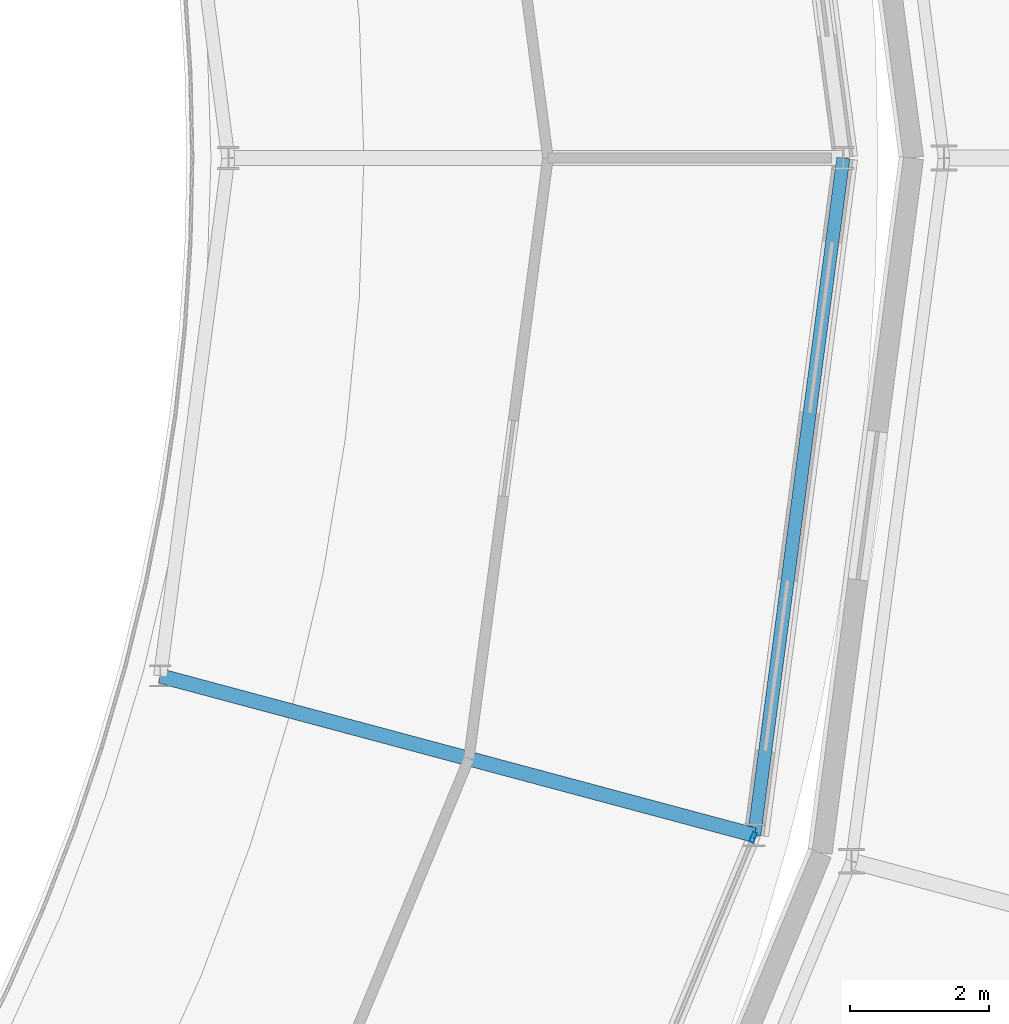
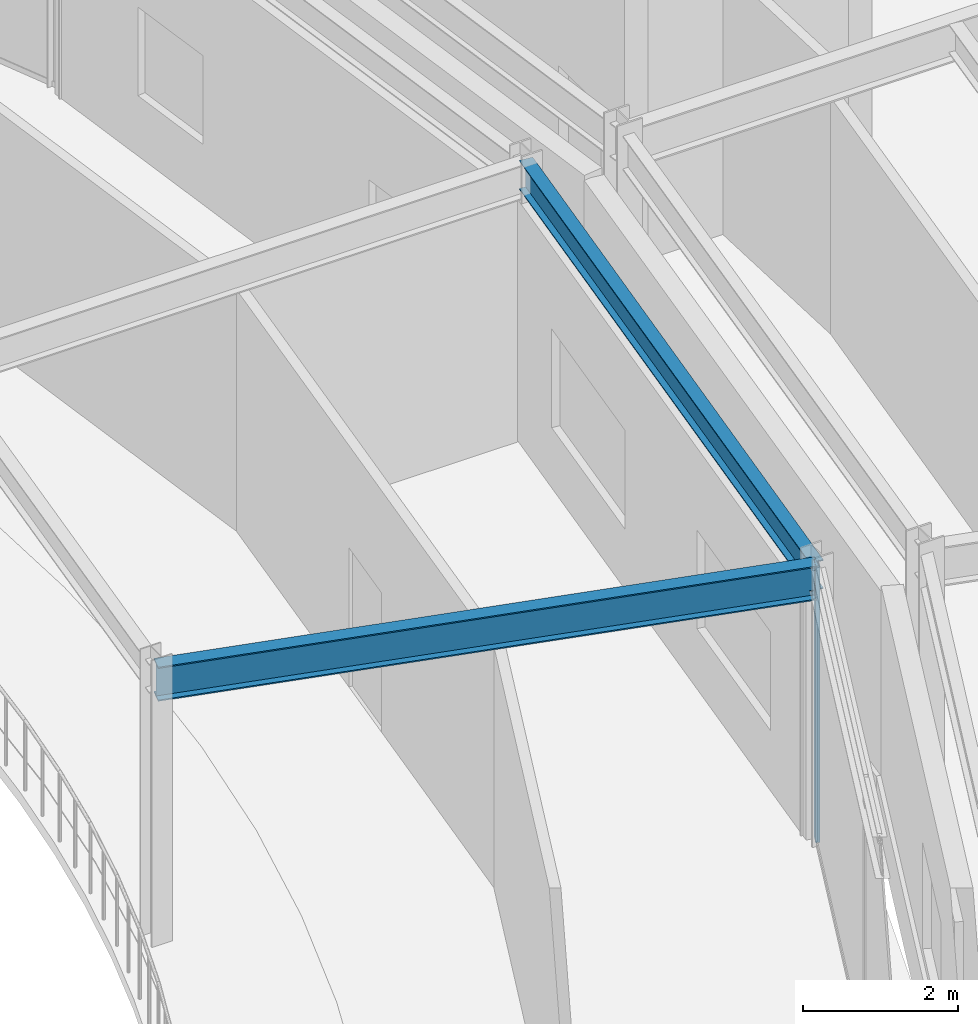
# One storey, part 48 of 157: 2 beams, 1 member, 1 element without a shape of its own.
"""IFC4 building model written with IfcOpenShell, lengths in metres."""

from ifc_helpers import new_model, si_unit, direction, frame, origin, origin_2d, place, context, subcontext, project, spatial, hollow_rectangle, i_section, extrude, material, material_profile, profile_set, type_object, element, aggregate, save


model = new_model("IFC4")

# Units and contexts
model_context = context("Model", 3, precision=1e-05, world=origin(), true_north=direction((0.0, 1.0)))
body_context = subcontext(model_context, "Body", "Model", "MODEL_VIEW")
ifc_project = project(units=[si_unit("LENGTHUNIT", "METRE"), si_unit("AREAUNIT", "SQUARE_METRE"), si_unit("VOLUMEUNIT", "CUBIC_METRE"), si_unit("PLANEANGLEUNIT", "RADIAN"), si_unit("MASSUNIT", "GRAM", prefix="KILO")], contexts=[model_context])

# Site, building, storey
site_placement = place(None, origin())
site = spatial("IfcSite", under=ifc_project, at=site_placement, CompositionType="ELEMENT")
building_placement = place(site_placement, origin())
building = spatial("IfcBuilding", under=site, at=building_placement, Name="Almandine Court Research Institute", CompositionType="ELEMENT")
storey_placement = place(building_placement, frame((0.0, 0.0, 5.25)))
storey = spatial("IfcBuildingStorey", under=building, at=storey_placement, Name="L01", CompositionType="ELEMENT", Elevation=5.25)

# Beams
ifc_material_1 = material(Name="Steel ASTM A992 Grade 50", Category="steel")
ifc_material_profile_1 = material_profile(ifc_material_1, i_section(OverallWidth=0.18994140625, OverallDepth=0.45703125, WebThickness=0.009033203125, FlangeThickness=0.014892578125, at=origin_2d()), Name="W460x74")
ifc_profile_set_1 = profile_set([ifc_material_profile_1], Name="Steel ASTM A992 Grade 50")
beam_type_1 = type_object("IfcBeamType", Name="Beam-B-01", PredefinedType="BEAM", material=ifc_profile_set_1)
beam_1_placement = place(storey_placement, frame((123.366943359375, 46.2548828125, 4.14111328125), z_axis=(0.130525188913, 0.991444993461, 0.0), x_axis=(-0.991444993461, 0.130525188913, 0.0)))
element("IfcBeam", 1, at=beam_1_placement, inside=storey, type_object=beam_type_1, Name="L01 Atrium Outer Ring Beam", PredefinedType="BEAM", context=body_context, shape_type="SweptSolid", body=[
    extrude(i_section(OverallWidth=0.18994140625, OverallDepth=0.45703125, WebThickness=0.009033203125, FlangeThickness=0.014892578125, at=origin_2d()), origin(), (0.0, 0.0, 1.0), 9.8291015625),
])
ifc_material_profile_2 = material_profile(ifc_material_1, i_section(OverallWidth=0.2109375, OverallDepth=0.5390625, WebThickness=0.011962890625, FlangeThickness=0.01904296875, at=origin_2d()), Name="W530x109")
ifc_profile_set_2 = profile_set([ifc_material_profile_2], Name="Steel ASTM A992 Grade 50")
beam_type_2 = type_object("IfcBeamType", Name="Beam-G-04", PredefinedType="BEAM", material=ifc_profile_set_2)
beam_2_placement = place(storey_placement, frame((114.819091796875, 48.5458984375, 4.10009765625), z_axis=(0.965908147944, -0.258885012576, 0.0), x_axis=(0.258885012576, 0.965908147944, 0.0)))
element("IfcBeam", 2, at=beam_2_placement, inside=storey, type_object=beam_type_2, Name="L01 Atrium Gallery Radial Girder", PredefinedType="BEAM", context=body_context, shape_type="SweptSolid", body=[
    extrude(i_section(OverallWidth=0.2109375, OverallDepth=0.5390625, WebThickness=0.011962890625, FlangeThickness=0.01904296875, at=origin_2d()), origin(), (0.0, 0.0, 1.0), 8.849609375),
])

# Curtain wall, member
ifc_material_2 = material(Name="Unitised Curtain Wall Framing and Solar Glazing", Category="glass")
curtain_wall_type = type_object("IfcCurtainWallType", Name="CW-CWG-24", PredefinedType="USERDEFINED", material=ifc_material_2)
curtain_wall_placement = place(storey_placement, origin())
curtain_wall = element("IfcCurtainWall", 3, at=curtain_wall_placement, inside=storey, type_object=curtain_wall_type, Name="L01 Interaction Atrium Perimeter Curtain Wall 22", ObjectType="UNITISED GLAZING", PredefinedType="USERDEFINED")
ifc_material_3 = material(Name="Anodised Aluminium AW-6063-T6", Category="aluminium")
ifc_material_profile_3 = material_profile(ifc_material_3, hollow_rectangle(XDim=0.06005859375, YDim=0.14990234375, WallThickness=0.00390625, at=origin_2d()), Name="ALU RHS 60x150x4")
ifc_profile_set_3 = profile_set([ifc_material_profile_3], Name="Anodised Aluminium AW-6063-T6")
member_type = type_object("IfcMemberType", Name="CWMul-60x150", PredefinedType="MULLION", material=ifc_profile_set_3)
member_placement = place(storey_placement, frame((123.3544921875, 46.224365234375, 0.0), z_axis=(0.0, 0.0, 1.0), x_axis=(0.923900189297, -0.382633558665, 0.0)))
member = element("IfcMember", 4, at=member_placement, type_object=member_type, Name="CWG-24 mullion 1", PredefinedType="MULLION", context=body_context, shape_type="SweptSolid", body=[
    extrude(hollow_rectangle(XDim=0.06005859375, YDim=0.14990234375, WallThickness=0.00390625, at=origin_2d()), origin(), (0.0, 0.0, 1.0), 4.3701171875),
])
aggregate(curtain_wall, [member])

save(model, "model.ifc")
